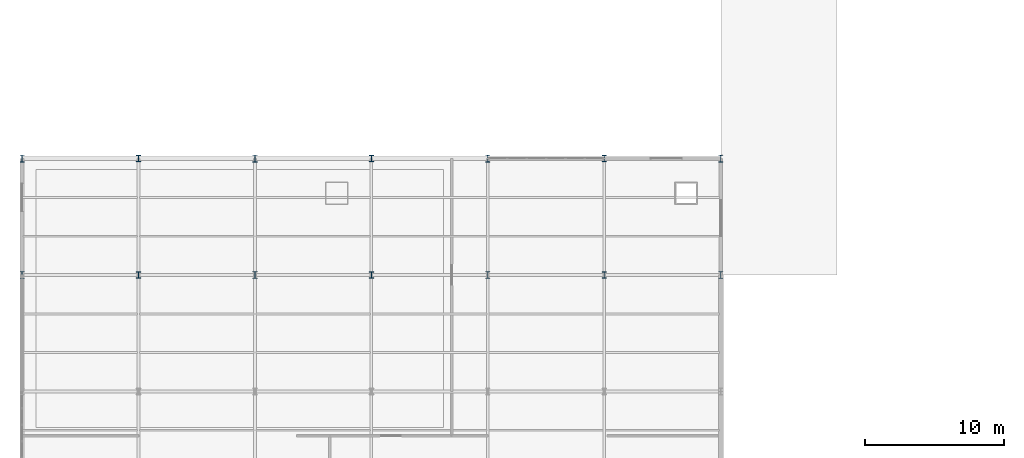
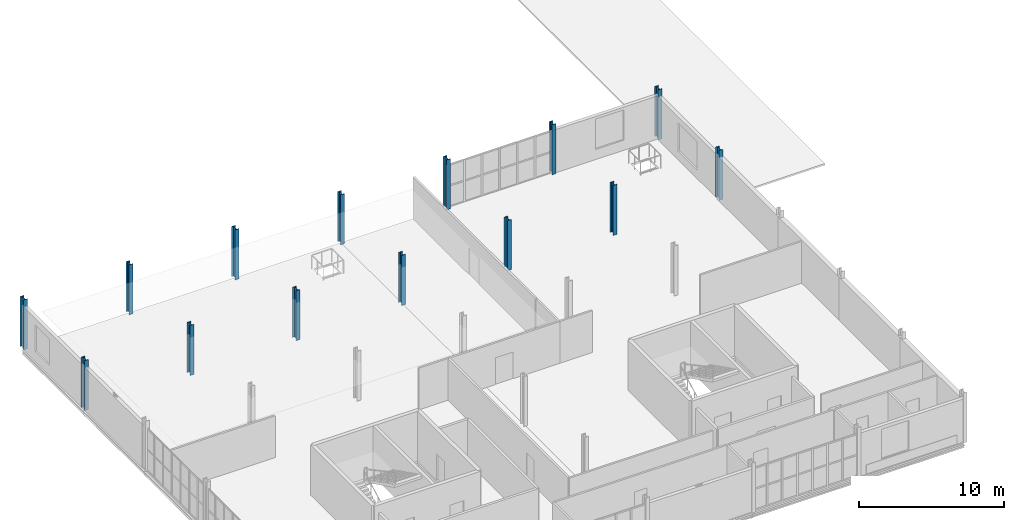
# One storey, part 3 of 69: 14 columns.
"""IFC4 building model written with IfcOpenShell, lengths in metres."""

from ifc_helpers import new_model, si_unit, direction, frame, origin, origin_2d, place, context, subcontext, project, spatial, i_section, extrude, material, material_profile, profile_set, type_object, element, save


model = new_model("IFC4")

# Units and contexts
model_context = context("Model", 3, precision=1e-05, world=origin(), true_north=direction((0.0, 1.0)))
body_context = subcontext(model_context, "Body", "Model", "MODEL_VIEW")
ifc_project = project(units=[si_unit("LENGTHUNIT", "METRE"), si_unit("AREAUNIT", "SQUARE_METRE"), si_unit("VOLUMEUNIT", "CUBIC_METRE"), si_unit("PLANEANGLEUNIT", "RADIAN"), si_unit("MASSUNIT", "GRAM", prefix="KILO")], contexts=[model_context])

# Site, building, storey
site_placement = place(None, origin())
site = spatial("IfcSite", under=ifc_project, at=site_placement, CompositionType="ELEMENT")
building_placement = place(site_placement, origin())
building = spatial("IfcBuilding", under=site, at=building_placement, Name="Qalvenar Corner Mobility Hub", CompositionType="ELEMENT")
storey_placement = place(building_placement, frame((0.0, 0.0, 13.199951171875)))
storey = spatial("IfcBuildingStorey", under=building, at=storey_placement, Name="L03", CompositionType="ELEMENT", Elevation=13.199951171875)

# Columns
ifc_material = material(Name="Steel S355", Category="steel")
ifc_material_profile_1 = material_profile(ifc_material, i_section(OverallWidth=0.300048828125, OverallDepth=0.449951171875, WebThickness=0.013916015625, FlangeThickness=0.02587890625, FilletRadius=0.027099609375, at=origin_2d()), Name="HEB450")
ifc_profile_set_1 = profile_set([ifc_material_profile_1], Name="Steel S355")
column_type_1 = type_object("IfcColumnType", Name="COL-HEB450", PredefinedType="COLUMN", material=ifc_profile_set_1)
for number, where, z_axis, x_axis, name in (
    (1, (8.39990234375, 33.60009765625, 0.0), (0.0, 0.0, 1.0), (1.0, 0.0, 0.0), "Steel Column L03-G2-4"),
    (2, (8.39990234375, 42.0, 0.0), (0.0, 0.0, 1.0), (1.0, 0.0, 0.0), "Steel Column L03-G2-5"),
    (3, (25.199951171875, 33.60009765625, 0.0), (0.0, 0.0, 1.0), (1.0, 0.0, 0.0), "Steel Column L03-G4-4"),
    (4, (25.199951171875, 42.0, 0.0), (0.0, 0.0, 1.0), (1.0, 0.0, 0.0), "Steel Column L03-G4-5"),
    (5, (42.0, 33.60009765625, 0.0), (0.0, 0.0, 1.0), (1.0, 0.0, 0.0), "Steel Column L03-G6-4"),
    (6, (42.0, 42.0, 0.0), (0.0, 0.0, 1.0), (1.0, 0.0, 0.0), "Steel Column L03-G6-5"),
):
    element("IfcColumn", number, at=place(storey_placement, frame(where, z_axis=z_axis, x_axis=x_axis)), inside=storey, type_object=column_type_1, Name=name, PredefinedType="COLUMN", context=body_context, shape_type="SweptSolid", body=[
        extrude(i_section(OverallWidth=0.300048828125, OverallDepth=0.449951171875, WebThickness=0.013916015625, FlangeThickness=0.02587890625, FilletRadius=0.027099609375, at=origin_2d()), origin(), (0.0, 0.0, 1.0), 4.199951171875),
    ])
ifc_material_profile_2 = material_profile(ifc_material, i_section(OverallWidth=0.300048828125, OverallDepth=0.5, WebThickness=0.014404296875, FlangeThickness=0.028076171875, FilletRadius=0.027099609375, at=origin_2d()), Name="HEB500")
ifc_profile_set_2 = profile_set([ifc_material_profile_2], Name="Steel S355")
column_type_2 = type_object("IfcColumnType", Name="COL-HEB500", PredefinedType="COLUMN", material=ifc_profile_set_2)
for number, where, z_axis, x_axis, name in (
    (7, (0.0, 33.60009765625, 0.0), (0.0, 0.0, 1.0), (1.0, 0.0, 0.0), "Steel Column L03-G1-4"),
    (8, (0.0, 42.0, 0.0), (0.0, 0.0, 1.0), (1.0, 0.0, 0.0), "Steel Column L03-G1-5"),
    (9, (16.800048828125, 33.60009765625, 0.0), (0.0, 0.0, 1.0), (1.0, 0.0, 0.0), "Steel Column L03-G3-4"),
    (10, (16.800048828125, 42.0, 0.0), (0.0, 0.0, 1.0), (1.0, 0.0, 0.0), "Steel Column L03-G3-5"),
    (11, (33.60009765625, 33.60009765625, 0.0), (0.0, 0.0, 1.0), (1.0, 0.0, 0.0), "Steel Column L03-G5-4"),
    (12, (33.60009765625, 42.0, 0.0), (0.0, 0.0, 1.0), (1.0, 0.0, 0.0), "Steel Column L03-G5-5"),
    (13, (50.39990234375, 33.60009765625, 0.0), (0.0, 0.0, 1.0), (1.0, 0.0, 0.0), "Steel Column L03-G7-4"),
    (14, (50.39990234375, 42.0, 0.0), (0.0, 0.0, 1.0), (1.0, 0.0, 0.0), "Steel Column L03-G7-5"),
):
    element("IfcColumn", number, at=place(storey_placement, frame(where, z_axis=z_axis, x_axis=x_axis)), inside=storey, type_object=column_type_2, Name=name, PredefinedType="COLUMN", context=body_context, shape_type="SweptSolid", body=[
        extrude(i_section(OverallWidth=0.300048828125, OverallDepth=0.5, WebThickness=0.014404296875, FlangeThickness=0.028076171875, FilletRadius=0.027099609375, at=origin_2d()), origin(), (0.0, 0.0, 1.0), 4.199951171875),
    ])

save(model, "model.ifc")
